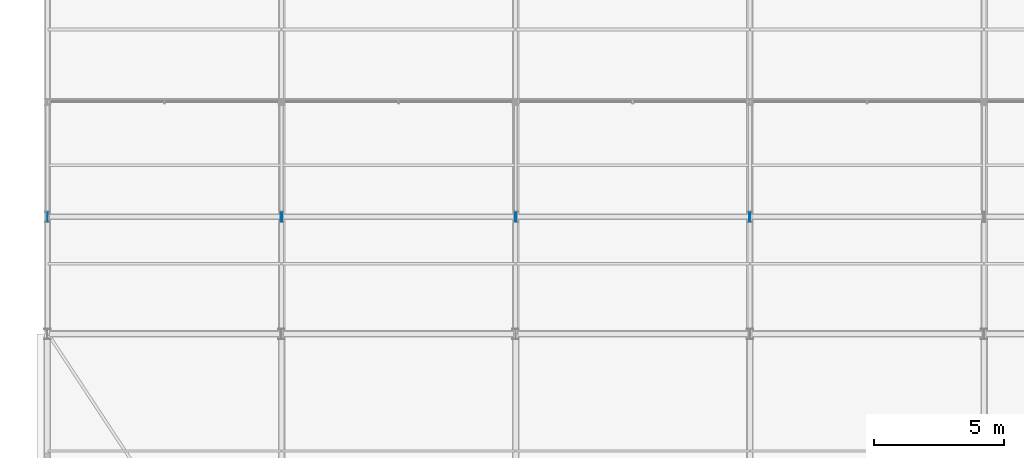
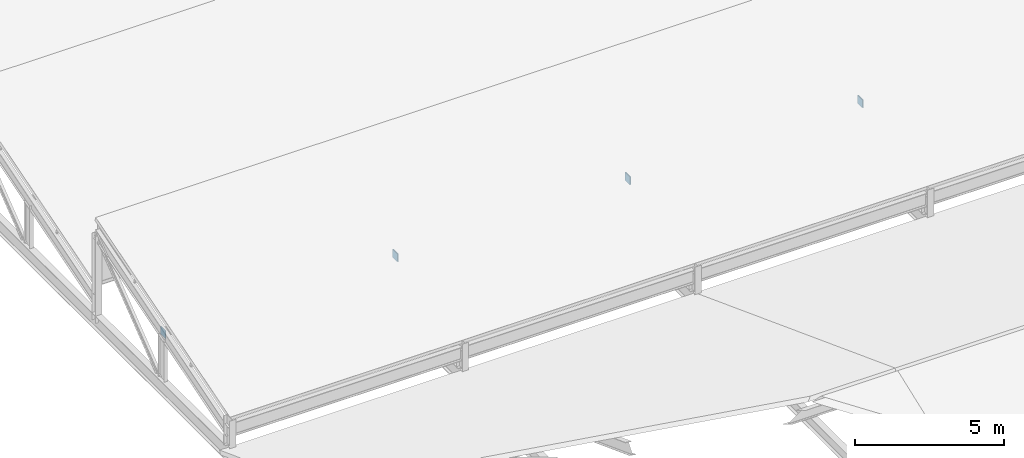
# One storey, part 120 of 163: 7 plates.
"""IFC4 building model written with IfcOpenShell, lengths in metres."""

from ifc_helpers import new_model, si_unit, direction, frame, origin, origin_2d, place, context, subcontext, project, spatial, rectangle, extrude, material, layer, layer_set, type_object, element, save


model = new_model("IFC4")

# Units and contexts
model_context = context("Model", 3, precision=1e-05, world=origin(), true_north=direction((0.0, 1.0)))
body_context = subcontext(model_context, "Body", "Model", "MODEL_VIEW")
ifc_project = project(units=[si_unit("LENGTHUNIT", "METRE"), si_unit("AREAUNIT", "SQUARE_METRE"), si_unit("VOLUMEUNIT", "CUBIC_METRE"), si_unit("PLANEANGLEUNIT", "RADIAN"), si_unit("MASSUNIT", "GRAM", prefix="KILO")], contexts=[model_context])

# Site, building, storey
site_placement = place(None, origin())
site = spatial("IfcSite", under=ifc_project, at=site_placement, CompositionType="ELEMENT")
building_placement = place(site_placement, origin())
building = spatial("IfcBuilding", under=site, at=building_placement, Name="Tharagai Park Tramway Depot", CompositionType="ELEMENT")
storey_placement = place(building_placement, frame((0.0, 0.0, 8.39990234375)))
storey = spatial("IfcBuildingStorey", under=building, at=storey_placement, Name="L02", CompositionType="ELEMENT", Elevation=8.39990234375)

# Plates
ifc_material = material(Name="Steel E350", Category="steel")
ifc_layer = layer(ifc_material, 0.011962890625)
ifc_layer_set = layer_set([ifc_layer], Name="Steel E350")
plate_type = type_object("IfcPlateType", Name="GP-04", PredefinedType="SHEET", material=ifc_layer_set)
for number, where, z_axis, x_axis, name in (
    (1, (0.013916015625, 94.5, 1.781494140625), (0.0, 0.0, 1.0), (1.0, 0.0, 0.0), "Tube End Cap Plate GP-04"),
    (2, (8.986083984375, 94.5, 1.781494140625), (0.0, 0.0, 1.0), (1.0, 0.0, 0.0), "Tube End Cap Plate GP-04"),
    (3, (9.013916015625, 94.5, 1.781494140625), (0.0, 0.0, 1.0), (1.0, 0.0, 0.0), "Tube End Cap Plate GP-04"),
    (4, (17.986083984375, 94.5, 1.781494140625), (0.0, 0.0, 1.0), (1.0, 0.0, 0.0), "Tube End Cap Plate GP-04"),
    (5, (18.013916015625, 94.5, 1.781494140625), (0.0, 0.0, 1.0), (1.0, 0.0, 0.0), "Tube End Cap Plate GP-04"),
    (6, (26.986083984375, 94.5, 1.781494140625), (0.0, 0.0, 1.0), (1.0, 0.0, 0.0), "Tube End Cap Plate GP-04"),
    (7, (27.013916015625, 94.5, 1.781494140625), (0.0, 0.0, 1.0), (1.0, 0.0, 0.0), "Tube End Cap Plate GP-04"),
):
    element("IfcPlate", number, at=place(storey_placement, frame(where, z_axis=z_axis, x_axis=x_axis)), inside=storey, type_object=plate_type, Name=name, PredefinedType="SHEET", context=body_context, shape_type="SweptSolid", body=[
        extrude(rectangle(XDim=0.011962890625, YDim=0.330078125, at=origin_2d()), origin(), (0.0, 0.0, 1.0), 0.330078125),
    ])

save(model, "model.ifc")
